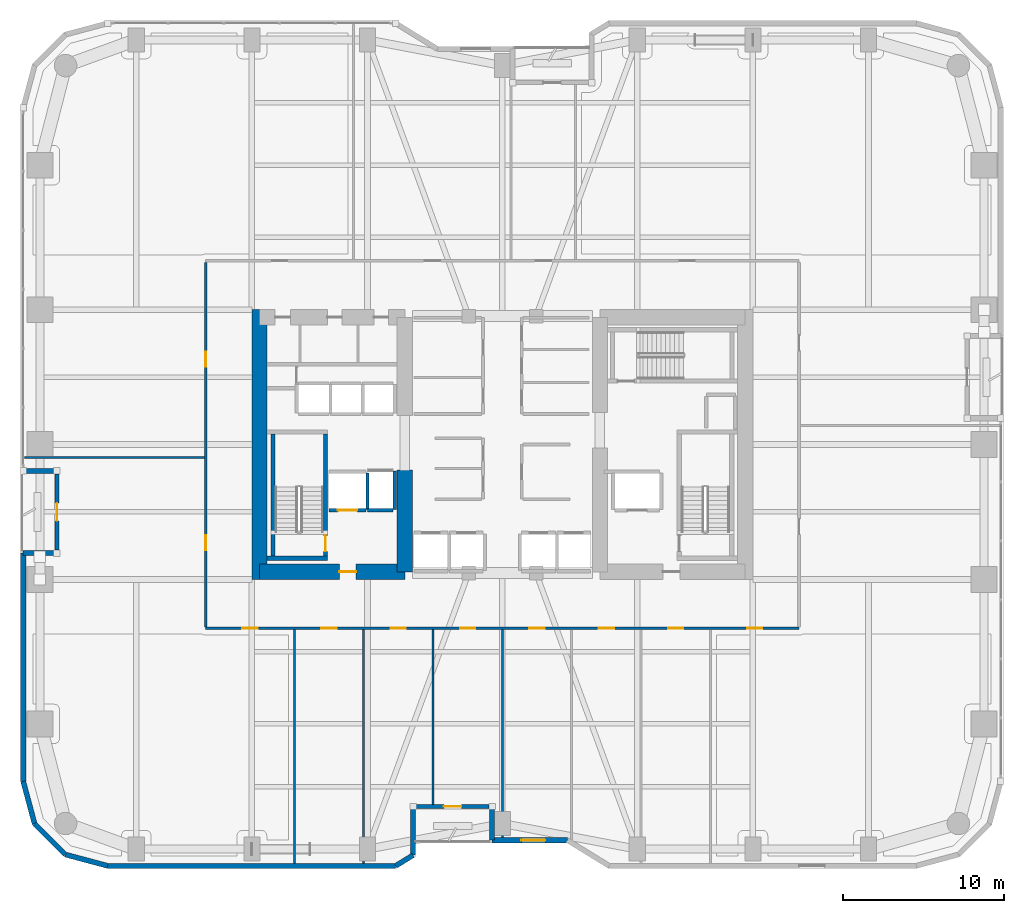
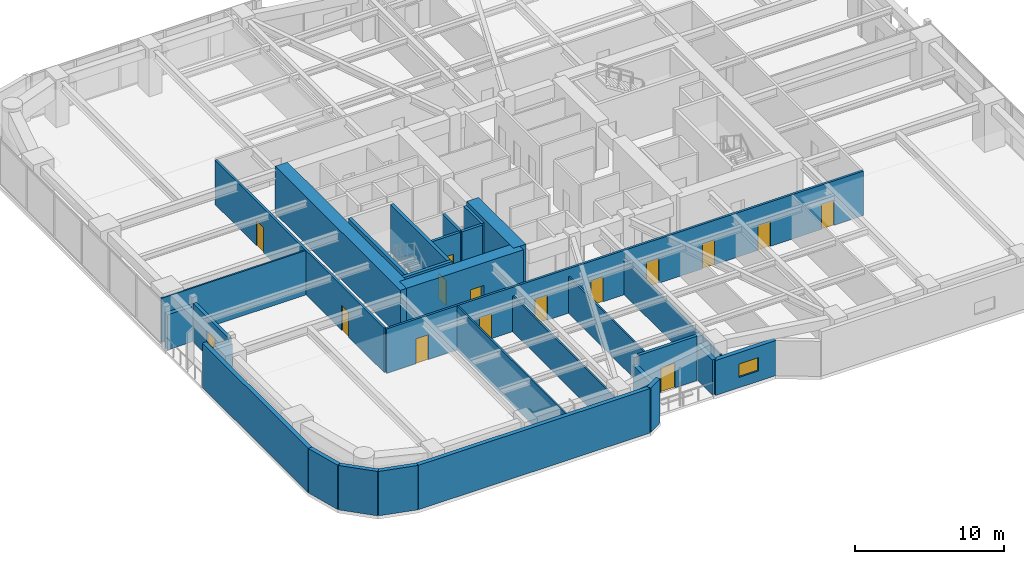
# One storey, part 22 of 28: 30 walls, 15 doors, 1 window, 16 openings.
"""IFC4 building model written with IfcOpenShell, lengths in metres."""

from ifc_helpers import new_model, si_unit, direction, frame, frame_2d, origin, place, context, subcontext, project, spatial, rectangle, extrude, material, layer, layer_set, type_object, element, fill, save


model = new_model("IFC4")

# Units and contexts
model_context = context("Model", 3, precision=1e-05, world=origin(), true_north=direction((0.0, 1.0)))
body_context = subcontext(model_context, "Body", "Model", "MODEL_VIEW")
ifc_project = project(units=[si_unit("LENGTHUNIT", "METRE"), si_unit("AREAUNIT", "SQUARE_METRE"), si_unit("VOLUMEUNIT", "CUBIC_METRE"), si_unit("PLANEANGLEUNIT", "RADIAN"), si_unit("MASSUNIT", "GRAM", prefix="KILO")], contexts=[model_context])

# Site, building, storey
site_placement = place(None, origin())
site = spatial("IfcSite", under=ifc_project, at=site_placement, CompositionType="ELEMENT")
building_placement = place(site_placement, origin())
building = spatial("IfcBuilding", under=site, at=building_placement, Name="Kiyonajd Concourse Tower", CompositionType="ELEMENT")
storey_placement = place(building_placement, frame((0.0, 0.0, 56.699951171875)))
storey = spatial("IfcBuildingStorey", under=building, at=storey_placement, Name="L15", CompositionType="ELEMENT", Elevation=56.699951171875)

# Walls
ifc_material_1 = material(Name="Concrete C80/95", Category="concrete")
ifc_layer_1 = layer(ifc_material_1, 0.949951171875)
ifc_layer_set_1 = layer_set([ifc_layer_1], Name="Concrete C80/95")
wall_type_1 = type_object("IfcWallType", Name="WL-CORE-950", PredefinedType="SHEAR", material=ifc_layer_set_1)
wall_1_placement = place(storey_placement, frame((32.875, 27.60009765625, 0.0), z_axis=(0.0, 0.0, 1.0), x_axis=(0.0, 1.0, 0.0)))
element("IfcWall", 1, at=wall_1_placement, inside=storey, type_object=wall_type_1, Name="L15 West Core Outer Shear Wall", PredefinedType="SHEAR", context=body_context, shape_type="SweptSolid", body=[
    extrude(rectangle(XDim=16.7998046875, YDim=0.949951171875, at=frame_2d((8.39990234375, 0.0))), origin(), (0.0, 0.0, 1.0), 3.900146484375),
])
wall_2_placement = place(storey_placement, frame((41.925048828125, 28.074951171875, 0.0), z_axis=(0.0, 0.0, 1.0), x_axis=(0.0, 1.0, 0.0)))
element("IfcWall", 2, at=wall_2_placement, inside=storey, type_object=wall_type_1, Name="L15 West Core Inner South Shear Wall", PredefinedType="SHEAR", context=body_context, shape_type="SweptSolid", body=[
    extrude(rectangle(XDim=6.324951171875, YDim=0.949951171875, at=frame_2d((3.16259765625, 0.0))), origin(), (0.0, 0.0, 1.0), 3.900146484375),
])

# Wall, opening, door
wall_3_placement = place(storey_placement, frame((32.875, 28.074951171875, 0.0), z_axis=(0.0, 0.0, 1.0), x_axis=(1.0, 0.0, 0.0)))
wall_3 = element("IfcWall", 3, at=wall_3_placement, inside=storey, type_object=wall_type_1, Name="L15 West Core South Shear Wall", PredefinedType="SHEAR", context=body_context, shape_type="SweptSolid", body=[
    extrude(rectangle(XDim=9.050048828125, YDim=0.949951171875, at=frame_2d((4.52490234375, 0.0))), origin(), (0.0, 0.0, 1.0), 3.900146484375),
])
opening_1_placement = place(wall_3_placement, frame((4.97509765625, 0.0, 0.0)))
opening_1 = element("IfcOpeningElement", 4, at=opening_1_placement, cuts=wall_3, Name="Opening DF5", PredefinedType="OPENING", context=body_context, shape_type="SweptSolid", body=[
    extrude(rectangle(XDim=1.050048828125, YDim=2.0400390625, at=frame_2d((0.52490234375, 1.02001953125))), frame((0.0, 0.48486328125, 0.0), z_axis=(0.0, -1.0, 0.0), x_axis=(1.0, 0.0, 0.0)), (0.0, 0.0, 1.0), 0.969970703125),
])
ifc_material_2 = material(Name="Brushed Stainless Steel Cab Assembly", Category="steel")
door_type_1 = type_object("IfcDoorType", Name="DR-FD45-1050", OperationType="NOTDEFINED", PredefinedType="DOOR", material=ifc_material_2)
door_1_placement = place(opening_1_placement, origin())
door_1 = element("IfcDoor", 5, at=door_1_placement, inside=storey, type_object=door_type_1, Name="L15 Firefighting Lift Lobby W Smoke Door", OperationType="SINGLE_SWING_LEFT", OverallHeight=2.0400390625, OverallWidth=1.050048828125, PredefinedType="DOOR", context=body_context, shape_type="SweptSolid", body=[
    extrude(rectangle(XDim=1.050048828125, YDim=2.0400390625, at=frame_2d((0.52490234375, 1.02001953125))), frame((0.0, 0.02490234375, 0.0), z_axis=(0.0, -1.0, 0.0), x_axis=(1.0, 0.0, 0.0)), (0.0, 0.0, 1.0), 0.050048828125),
])
fill(opening_1, door_1)

# Walls
ifc_material_3 = material(Name="Precast concrete C50/60", Category="concrete")
ifc_layer_2 = layer(ifc_material_3, 0.320068359375)
ifc_layer_set_2 = layer_set([ifc_layer_2], Name="Precast concrete C50/60")
wall_type_2 = type_object("IfcWallType", Name="WL-EXT-320", PredefinedType="SOLIDWALL", material=ifc_layer_set_2)
wall_4_placement = place(storey_placement, frame((18.866455078125, 12.3828125, 0.0), z_axis=(0.0, 0.0, 1.0), x_axis=(-0.25869736047, 0.965958423373, 0.0)))
element("IfcWall", 6, at=wall_4_placement, inside=storey, type_object=wall_type_2, Name="L15 Exterior Concrete Frame Wall 00", PredefinedType="SOLIDWALL", context=body_context, shape_type="SweptSolid", body=[
    extrude(rectangle(XDim=2.731201171875, YDim=0.320068359375, at=frame_2d((1.36572265625, 0.0))), origin(), (0.0, 0.0, 1.0), 3.64013671875),
])
wall_5_placement = place(storey_placement, frame((18.159912109375, 15.02099609375, 0.0), z_axis=(0.0, 0.0, 1.0), x_axis=(0.0, 1.0, 0.0)))
element("IfcWall", 7, at=wall_5_placement, inside=storey, type_object=wall_type_2, Name="L15 Exterior Concrete Frame Wall 01", PredefinedType="SOLIDWALL", context=body_context, shape_type="SweptSolid", body=[
    extrude(rectangle(XDim=14.218994140625, YDim=0.320068359375, at=frame_2d((7.109375, 0.0))), origin(), (0.0, 0.0, 1.0), 3.64013671875),
])
for number, where, z_axis, x_axis, name in (
    (8, (18.159912109375, 29.239990234375, 0.0), (0.0, 0.0, 1.0), (1.0, 0.0, 0.0), "L15 Exterior Concrete Frame Wall 02"),
    (9, (20.260009765625, 34.360107421875, 0.0), (0.0, 0.0, 1.0), (-1.0, 0.0, 0.0), "L15 Exterior Concrete Frame Wall 04"),
):
    element("IfcWall", number, at=place(storey_placement, frame(where, z_axis=z_axis, x_axis=x_axis)), inside=storey, type_object=wall_type_2, Name=name, PredefinedType="SOLIDWALL", context=body_context, shape_type="SweptSolid", body=[
        extrude(rectangle(XDim=2.10009765625, YDim=0.320068359375, at=frame_2d((1.050048828125, 0.0))), origin(), (0.0, 0.0, 1.0), 2.875),
    ])

# Wall, opening, window
wall_6_placement = place(storey_placement, frame((52.04541015625, 11.360107421875, 0.0), z_axis=(0.0, 0.0, 1.0), x_axis=(-1.0, 0.0, 0.0)))
wall_6 = element("IfcWall", 10, at=wall_6_placement, inside=storey, type_object=wall_type_2, Name="L15 Exterior Concrete Frame Wall 30", PredefinedType="SOLIDWALL", context=body_context, shape_type="SweptSolid", body=[
    extrude(rectangle(XDim=4.685302734375, YDim=0.320068359375, at=frame_2d((2.3427734375, 0.0))), origin(), (0.0, 0.0, 1.0), 2.875),
])
opening_2_placement = place(wall_6_placement, frame((1.367919921875, 0.0, 0.85009765625)))
opening_2 = element("IfcOpeningElement", 11, at=opening_2_placement, cuts=wall_6, Name="Opening WN2", PredefinedType="OPENING", context=body_context, shape_type="SweptSolid", body=[
    extrude(rectangle(XDim=1.5, YDim=1.10009765625, at=frame_2d((0.75, 0.550048828125))), frame((0.0, 0.169921875, 0.0), z_axis=(0.0, -1.0, 0.0), x_axis=(1.0, 0.0, 0.0)), (0.0, 0.0, 1.0), 0.340087890625),
])
ifc_material_4 = material(Name="Double Low-E Insulated Glass", Category="glass")
window_type = type_object("IfcWindowType", Name="WN-VIS-1500x1100", PartitioningType="SINGLE_PANEL", PredefinedType="WINDOW", material=ifc_material_4)
window_placement = place(opening_2_placement, origin())
window = element("IfcWindow", 12, at=window_placement, inside=storey, type_object=window_type, Name="L15 Modular Facade Vision Window 30", OverallHeight=1.10009765625, OverallWidth=1.5, PartitioningType="SINGLE_PANEL", PredefinedType="WINDOW", context=body_context, shape_type="SweptSolid", body=[
    extrude(rectangle(XDim=1.5, YDim=1.10009765625, at=frame_2d((0.75, 0.550048828125))), frame((0.0, 0.030029296875, 0.0), z_axis=(0.0, -1.0, 0.0), x_axis=(1.0, 0.0, 0.0)), (0.0, 0.0, 1.0), 0.06005859375),
])
fill(opening_2, window)

# Walls
wall_7_placement = place(storey_placement, frame((47.360107421875, 11.360107421875, 0.0), z_axis=(0.0, 0.0, 1.0), x_axis=(0.0, 1.0, 0.0)))
element("IfcWall", 13, at=wall_7_placement, inside=storey, type_object=wall_type_2, Name="L15 Exterior Concrete Frame Wall 31", PredefinedType="SOLIDWALL", context=body_context, shape_type="SweptSolid", body=[
    extrude(rectangle(XDim=2.099853515625, YDim=0.320068359375, at=frame_2d((1.0498046875, 0.0))), origin(), (0.0, 0.0, 1.0), 2.875),
])
wall_8_placement = place(storey_placement, frame((42.43994140625, 13.4599609375, 0.0), z_axis=(0.0, 0.0, 1.0), x_axis=(0.0, -1.0, 0.0)))
element("IfcWall", 14, at=wall_8_placement, inside=storey, type_object=wall_type_2, Name="L15 Exterior Concrete Frame Wall 33", PredefinedType="SOLIDWALL", context=body_context, shape_type="SweptSolid", body=[
    extrude(rectangle(XDim=3.032470703125, YDim=0.320068359375, at=frame_2d((1.51611328125, 0.0))), origin(), (0.0, 0.0, 1.0), 2.875),
])
wall_9_placement = place(storey_placement, frame((42.43994140625, 10.427490234375, 0.0), z_axis=(0.0, 0.0, 1.0), x_axis=(-0.851776724646, -0.523904964045, 0.0)))
element("IfcWall", 15, at=wall_9_placement, inside=storey, type_object=wall_type_2, Name="L15 Exterior Concrete Frame Wall 34", PredefinedType="SOLIDWALL", context=body_context, shape_type="SweptSolid", body=[
    extrude(rectangle(XDim=1.274169921875, YDim=0.320068359375, at=frame_2d((0.63720703125, 0.0))), origin(), (0.0, 0.0, 1.0), 3.64013671875),
])
wall_10_placement = place(storey_placement, frame((41.354736328125, 9.760009765625, 0.0), z_axis=(0.0, 0.0, 1.0), x_axis=(-1.0, 0.0, 0.0)))
element("IfcWall", 16, at=wall_10_placement, inside=storey, type_object=wall_type_2, Name="L15 Exterior Concrete Frame Wall 35", PredefinedType="SOLIDWALL", context=body_context, shape_type="SweptSolid", body=[
    extrude(rectangle(XDim=17.93359375, YDim=0.320068359375, at=frame_2d((8.966796875, 0.0))), origin(), (0.0, 0.0, 1.0), 3.64013671875),
])
wall_11_placement = place(storey_placement, frame((23.421142578125, 9.760009765625, 0.0), z_axis=(0.0, 0.0, 1.0), x_axis=(-0.965964405026, 0.25867502435, 0.0)))
element("IfcWall", 17, at=wall_11_placement, inside=storey, type_object=wall_type_2, Name="L15 Exterior Concrete Frame Wall 36", PredefinedType="SOLIDWALL", context=body_context, shape_type="SweptSolid", body=[
    extrude(rectangle(XDim=2.7314453125, YDim=0.320068359375, at=frame_2d((1.36572265625, 0.0))), origin(), (0.0, 0.0, 1.0), 3.64013671875),
])
wall_12_placement = place(storey_placement, frame((20.78271484375, 10.466552734375, 0.0), z_axis=(0.0, 0.0, 1.0), x_axis=(-0.707106781187, 0.707106781187, 0.0)))
element("IfcWall", 18, at=wall_12_placement, inside=storey, type_object=wall_type_2, Name="L15 Exterior Concrete Frame Wall 37", PredefinedType="SOLIDWALL", context=body_context, shape_type="SweptSolid", body=[
    extrude(rectangle(XDim=2.7099609375, YDim=0.320068359375, at=frame_2d((1.35498046875, 0.0))), origin(), (0.0, 0.0, 1.0), 3.64013671875),
])

# Wall, opening, door
ifc_layer_3 = layer(ifc_material_3, 0.239990234375)
ifc_layer_set_3 = layer_set([ifc_layer_3], Name="Precast concrete C50/60")
wall_type_3 = type_object("IfcWallType", Name="WL-LOG-240", PredefinedType="SOLIDWALL", material=ifc_layer_set_3)
wall_13_placement = place(storey_placement, frame((20.260009765625, 29.43505859375, 0.0), z_axis=(0.0, 0.0, 1.0), x_axis=(0.0, 1.0, 0.0)))
wall_13 = element("IfcWall", 19, at=wall_13_placement, inside=storey, type_object=wall_type_3, Name="L15 Recessed Loggia Thermal Wall LOG-W", PredefinedType="SOLIDWALL", context=body_context, shape_type="SweptSolid", body=[
    extrude(rectangle(XDim=4.72998046875, YDim=0.239990234375, at=frame_2d((2.364990234375, 0.0))), origin(), (0.0, 0.0, 1.0), 3.162109375),
])
opening_3_placement = place(wall_13_placement, frame((1.81494140625, 0.0, 0.0)))
opening_3 = element("IfcOpeningElement", 20, at=opening_3_placement, cuts=wall_13, Name="Opening DL2", PredefinedType="OPENING", context=body_context, shape_type="SweptSolid", body=[
    extrude(rectangle(XDim=1.10009765625, YDim=2.0400390625, at=frame_2d((0.550048828125, 1.02001953125))), frame((0.0, 0.1298828125, 0.0), z_axis=(0.0, -1.0, 0.0), x_axis=(1.0, 0.0, 0.0)), (0.0, 0.0, 1.0), 0.260009765625),
])
ifc_material_5 = material(Name="Thermally Broken Anodised Aluminium", Category="aluminium")
door_type_2 = type_object("IfcDoorType", Name="DR-LOG-1100", OperationType="NOTDEFINED", PredefinedType="DOOR", material=ifc_material_5)
door_2_placement = place(opening_3_placement, origin())
door_2 = element("IfcDoor", 21, at=door_2_placement, inside=storey, type_object=door_type_2, Name="L15 Engawa Loggia Access Door LOG-W", OperationType="SINGLE_SWING_LEFT", OverallHeight=2.0400390625, OverallWidth=1.10009765625, PredefinedType="DOOR", context=body_context, shape_type="SweptSolid", body=[
    extrude(rectangle(XDim=1.10009765625, YDim=2.0400390625, at=frame_2d((0.550048828125, 1.02001953125))), frame((0.0, 0.02490234375, 0.0), z_axis=(0.0, -1.0, 0.0), x_axis=(1.0, 0.0, 0.0)), (0.0, 0.0, 1.0), 0.050048828125),
])
fill(opening_3, door_2)

wall_14_placement = place(storey_placement, frame((47.1650390625, 13.4599609375, 0.0), z_axis=(0.0, 0.0, 1.0), x_axis=(-1.0, 0.0, 0.0)))
wall_14 = element("IfcWall", 22, at=wall_14_placement, inside=storey, type_object=wall_type_3, Name="L15 Recessed Loggia Thermal Wall LOG-S", PredefinedType="SOLIDWALL", context=body_context, shape_type="SweptSolid", body=[
    extrude(rectangle(XDim=4.530029296875, YDim=0.239990234375, at=frame_2d((2.26513671875, 0.0))), origin(), (0.0, 0.0, 1.0), 3.64013671875),
])
opening_4_placement = place(wall_14_placement, frame((1.715087890625, 0.0, 0.0)))
opening_4 = element("IfcOpeningElement", 23, at=opening_4_placement, cuts=wall_14, Name="Opening DL2", PredefinedType="OPENING", context=body_context, shape_type="SweptSolid", body=[
    extrude(rectangle(XDim=1.10009765625, YDim=2.0400390625, at=frame_2d((0.550048828125, 1.02001953125))), frame((0.0, 0.1298828125, 0.0), z_axis=(0.0, -1.0, 0.0), x_axis=(1.0, 0.0, 0.0)), (0.0, 0.0, 1.0), 0.260009765625),
])
door_3_placement = place(opening_4_placement, origin())
door_3 = element("IfcDoor", 24, at=door_3_placement, inside=storey, type_object=door_type_2, Name="L15 Engawa Loggia Access Door LOG-S", OperationType="SINGLE_SWING_RIGHT", OverallHeight=2.0400390625, OverallWidth=1.10009765625, PredefinedType="DOOR", context=body_context, shape_type="SweptSolid", body=[
    extrude(rectangle(XDim=1.10009765625, YDim=2.0400390625, at=frame_2d((0.550048828125, 1.02001953125))), frame((0.0, 0.02490234375, 0.0), z_axis=(0.0, -1.0, 0.0), x_axis=(1.0, 0.0, 0.0)), (0.0, 0.0, 1.0), 0.050048828125),
])
fill(opening_4, door_3)

# Walls
ifc_material_6 = material(Name="Gypsum Board on Cold-Formed Steel Stud", Category="steel")
ifc_layer_4 = layer(ifc_material_6, 0.125)
ifc_layer_set_4 = layer_set([ifc_layer_4], Name="Gypsum Board on Cold-Formed Steel Stud")
wall_type_4 = type_object("IfcWallType", Name="WL-PART-125", PredefinedType="PARTITIONING", material=ifc_layer_set_4)
wall_15_placement = place(storey_placement, frame((35.0400390625, 9.9150390625, 0.0), z_axis=(0.0, 0.0, 1.0), x_axis=(0.0, 1.0, 0.0)))
element("IfcWall", 25, at=wall_15_placement, inside=storey, type_object=wall_type_4, Name="L15 Interior Partition Wall", PredefinedType="PARTITIONING", context=body_context, shape_type="SweptSolid", body=[
    extrude(rectangle(XDim=14.557861328125, YDim=0.125, at=frame_2d((7.27880859375, 0.0))), origin(), (0.0, 0.0, 1.0), 3.64013671875),
])
wall_16_placement = place(storey_placement, frame((39.360107421875, 9.9150390625, 0.0), z_axis=(0.0, 0.0, 1.0), x_axis=(0.0, 1.0, 0.0)))
element("IfcWall", 26, at=wall_16_placement, inside=storey, type_object=wall_type_4, Name="L15 Interior Partition Wall", PredefinedType="PARTITIONING", context=body_context, shape_type="SweptSolid", body=[
    extrude(rectangle(XDim=14.557861328125, YDim=0.125, at=frame_2d((7.27880859375, 0.0))), origin(), (0.0, 0.0, 1.0), 2.929931640625),
])
wall_17_placement = place(storey_placement, frame((43.679931640625, 13.574951171875, 0.0), z_axis=(0.0, 0.0, 1.0), x_axis=(0.0, 1.0, 0.0)))
element("IfcWall", 27, at=wall_17_placement, inside=storey, type_object=wall_type_4, Name="L15 Interior Partition Wall", PredefinedType="PARTITIONING", context=body_context, shape_type="SweptSolid", body=[
    extrude(rectangle(XDim=10.89794921875, YDim=0.125, at=frame_2d((5.448974609375, 0.0))), origin(), (0.0, 0.0, 1.0), 3.0029296875),
])
wall_18_placement = place(storey_placement, frame((48.0, 11.514892578125, 0.0), z_axis=(0.0, 0.0, 1.0), x_axis=(0.0, 1.0, 0.0)))
element("IfcWall", 28, at=wall_18_placement, inside=storey, type_object=wall_type_4, Name="L15 Interior Partition Wall", PredefinedType="PARTITIONING", context=body_context, shape_type="SweptSolid", body=[
    extrude(rectangle(XDim=12.9580078125, YDim=0.125, at=frame_2d((6.47900390625, 0.0))), origin(), (0.0, 0.0, 1.0), 2.929931640625),
])
wall_19_placement = place(storey_placement, frame((18.2451171875, 35.199951171875, 0.0), z_axis=(0.0, 0.0, 1.0), x_axis=(1.0, 0.0, 0.0)))
element("IfcWall", 29, at=wall_19_placement, inside=storey, type_object=wall_type_4, Name="L15 Interior Partition Wall", PredefinedType="PARTITIONING", context=body_context, shape_type="SweptSolid", body=[
    extrude(rectangle(XDim=11.19287109375, YDim=0.125, at=frame_2d((5.596435546875, 0.0))), origin(), (0.0, 0.0, 1.0), 3.64013671875),
])

# Wall, opening, door
ifc_layer_5 = layer(ifc_material_6, 0.2099609375)
ifc_layer_set_5 = layer_set([ifc_layer_5], Name="Gypsum Board on Cold-Formed Steel Stud")
wall_type_5 = type_object("IfcWallType", Name="WL-SHAFT-210", PredefinedType="PARTITIONING", material=ifc_layer_set_5)
wall_20_placement = place(storey_placement, frame((37.199951171875, 31.89990234375, 0.0), z_axis=(0.0, 0.0, 1.0), x_axis=(1.0, 0.0, 0.0)))
wall_20 = element("IfcWall", 30, at=wall_20_placement, inside=storey, type_object=wall_type_5, Name="L15 Shaft Enclosure Wall", PredefinedType="PARTITIONING", context=body_context, shape_type="SweptSolid", body=[
    extrude(rectangle(XDim=2.300048828125, YDim=0.2099609375, at=frame_2d((1.14990234375, 0.0))), origin(), (0.0, 0.0, 1.0), 3.64013671875),
])
opening_5_placement = place(wall_20_placement, frame((0.550048828125, 0.0, 0.0)))
opening_5 = element("IfcOpeningElement", 31, at=opening_5_placement, cuts=wall_20, Name="Opening LD2", PredefinedType="OPENING", context=body_context, shape_type="SweptSolid", body=[
    extrude(rectangle(XDim=1.199951171875, YDim=2.0400390625, at=frame_2d((0.60009765625, 1.02001953125))), frame((0.0, 0.114990234375, 0.0), z_axis=(0.0, -1.0, 0.0), x_axis=(1.0, 0.0, 0.0)), (0.0, 0.0, 1.0), 0.22998046875),
])
door_type_3 = type_object("IfcDoorType", Name="DR-LD-1200", OperationType="DOUBLE_DOOR_SLIDING", PredefinedType="DOOR", material=ifc_material_2)
door_4_placement = place(opening_5_placement, origin())
door_4 = element("IfcDoor", 32, at=door_4_placement, inside=storey, type_object=door_type_3, Name="L15 Lift FFL1 Sliding Landing Door", OperationType="DOUBLE_DOOR_SLIDING", OverallHeight=2.0400390625, OverallWidth=1.199951171875, PredefinedType="DOOR", context=body_context, shape_type="SweptSolid", body=[
    extrude(rectangle(XDim=1.199951171875, YDim=2.0400390625, at=frame_2d((0.60009765625, 1.02001953125))), frame((0.0, 0.02490234375, 0.0), z_axis=(0.0, -1.0, 0.0), x_axis=(1.0, 0.0, 0.0)), (0.0, 0.0, 1.0), 0.050048828125),
])
fill(opening_5, door_4)

# Walls
wall_21_placement = place(storey_placement, frame((39.60009765625, 31.9599609375, 0.0), z_axis=(0.0, 0.0, 1.0), x_axis=(0.0, 1.0, 0.0)))
element("IfcWall", 33, at=wall_21_placement, inside=storey, type_object=wall_type_5, Name="L15 Shaft Enclosure Wall", PredefinedType="PARTITIONING", context=body_context, shape_type="SweptSolid", body=[
    extrude(rectangle(XDim=2.280029296875, YDim=0.2099609375, at=frame_2d((1.14013671875, 0.0))), origin(), (0.0, 0.0, 1.0), 3.64013671875),
])
wall_22_placement = place(storey_placement, frame((39.60009765625, 31.89990234375, 0.0), z_axis=(0.0, 0.0, 1.0), x_axis=(1.0, 0.0, 0.0)))
element("IfcWall", 34, at=wall_22_placement, inside=storey, type_object=wall_type_5, Name="L15 Shaft Enclosure Wall", PredefinedType="PARTITIONING", context=body_context, shape_type="SweptSolid", body=[
    extrude(rectangle(XDim=1.599853515625, YDim=0.2099609375, at=frame_2d((0.7998046875, 0.0))), origin(), (0.0, 0.0, 1.0), 3.64013671875),
])
wall_23_placement = place(storey_placement, frame((41.300048828125, 31.9599609375, 0.0), z_axis=(0.0, 0.0, 1.0), x_axis=(0.0, 1.0, 0.0)))
element("IfcWall", 35, at=wall_23_placement, inside=storey, type_object=wall_type_5, Name="L15 Shaft Enclosure Wall", PredefinedType="PARTITIONING", context=body_context, shape_type="SweptSolid", body=[
    extrude(rectangle(XDim=2.380126953125, YDim=0.2099609375, at=frame_2d((1.18994140625, 0.0))), origin(), (0.0, 0.0, 1.0), 3.64013671875),
])

# Wall, openings, doors
ifc_layer_6 = layer(ifc_material_6, 0.169921875)
ifc_layer_set_6 = layer_set([ifc_layer_6], Name="Gypsum Board on Cold-Formed Steel Stud")
wall_type_6 = type_object("IfcWallType", Name="WL-SMK-170", PredefinedType="PARTITIONING", material=ifc_layer_set_6)
wall_24_placement = place(storey_placement, frame((29.52490234375, 24.56005859375, 0.0), z_axis=(0.0, 0.0, 1.0), x_axis=(1.0, 0.0, 0.0)))
wall_24 = element("IfcWall", 36, at=wall_24_placement, inside=storey, type_object=wall_type_6, Name="L15 Interior Partition Wall", PredefinedType="PARTITIONING", context=body_context, shape_type="SweptSolid", body=[
    extrude(rectangle(XDim=36.9501953125, YDim=0.169921875, at=frame_2d((18.47509765625, 0.0))), origin(), (0.0, 0.0, 1.0), 3.64013671875),
])
opening_6_placement = place(wall_24_placement, frame((2.282958984375, 0.0, 0.0)))
opening_6 = element("IfcOpeningElement", 37, at=opening_6_placement, cuts=wall_24, Name="Opening DI1", PredefinedType="OPENING", context=body_context, shape_type="SweptSolid", body=[
    extrude(rectangle(XDim=0.949951171875, YDim=2.0400390625, at=frame_2d((0.47509765625, 1.02001953125))), frame((0.0, 0.094970703125, 0.0), z_axis=(0.0, -1.0, 0.0), x_axis=(1.0, 0.0, 0.0)), (0.0, 0.0, 1.0), 0.18994140625),
])
opening_7_placement = place(wall_24_placement, frame((7.199951171875, 0.0, 0.0)))
opening_7 = element("IfcOpeningElement", 38, at=opening_7_placement, cuts=wall_24, Name="Opening DI1", PredefinedType="OPENING", context=body_context, shape_type="SweptSolid", body=[
    extrude(rectangle(XDim=0.949951171875, YDim=2.0400390625, at=frame_2d((0.47509765625, 1.02001953125))), frame((0.0, 0.094970703125, 0.0), z_axis=(0.0, -1.0, 0.0), x_axis=(1.0, 0.0, 0.0)), (0.0, 0.0, 1.0), 0.18994140625),
])
opening_8_placement = place(wall_24_placement, frame((11.52001953125, 0.0, 0.0)))
opening_8 = element("IfcOpeningElement", 39, at=opening_8_placement, cuts=wall_24, Name="Opening DI1", PredefinedType="OPENING", context=body_context, shape_type="SweptSolid", body=[
    extrude(rectangle(XDim=0.949951171875, YDim=2.0400390625, at=frame_2d((0.47509765625, 1.02001953125))), frame((0.0, 0.094970703125, 0.0), z_axis=(0.0, -1.0, 0.0), x_axis=(1.0, 0.0, 0.0)), (0.0, 0.0, 1.0), 0.18994140625),
])
opening_9_placement = place(wall_24_placement, frame((15.840087890625, 0.0, 0.0)))
opening_9 = element("IfcOpeningElement", 40, at=opening_9_placement, cuts=wall_24, Name="Opening DI1", PredefinedType="OPENING", context=body_context, shape_type="SweptSolid", body=[
    extrude(rectangle(XDim=0.949951171875, YDim=2.0400390625, at=frame_2d((0.47509765625, 1.02001953125))), frame((0.0, 0.094970703125, 0.0), z_axis=(0.0, -1.0, 0.0), x_axis=(1.0, 0.0, 0.0)), (0.0, 0.0, 1.0), 0.18994140625),
])
opening_10_placement = place(wall_24_placement, frame((20.159912109375, 0.0, 0.0)))
opening_10 = element("IfcOpeningElement", 41, at=opening_10_placement, cuts=wall_24, Name="Opening DI1", PredefinedType="OPENING", context=body_context, shape_type="SweptSolid", body=[
    extrude(rectangle(XDim=0.949951171875, YDim=2.0400390625, at=frame_2d((0.47509765625, 1.02001953125))), frame((0.0, 0.094970703125, 0.0), z_axis=(0.0, -1.0, 0.0), x_axis=(1.0, 0.0, 0.0)), (0.0, 0.0, 1.0), 0.18994140625),
])
opening_11_placement = place(wall_24_placement, frame((24.47998046875, 0.0, 0.0)))
opening_11 = element("IfcOpeningElement", 42, at=opening_11_placement, cuts=wall_24, Name="Opening DI1", PredefinedType="OPENING", context=body_context, shape_type="SweptSolid", body=[
    extrude(rectangle(XDim=0.949951171875, YDim=2.0400390625, at=frame_2d((0.47509765625, 1.02001953125))), frame((0.0, 0.094970703125, 0.0), z_axis=(0.0, -1.0, 0.0), x_axis=(1.0, 0.0, 0.0)), (0.0, 0.0, 1.0), 0.18994140625),
])
opening_12_placement = place(wall_24_placement, frame((28.800048828125, 0.0, 0.0)))
opening_12 = element("IfcOpeningElement", 43, at=opening_12_placement, cuts=wall_24, Name="Opening DI1", PredefinedType="OPENING", context=body_context, shape_type="SweptSolid", body=[
    extrude(rectangle(XDim=0.949951171875, YDim=2.0400390625, at=frame_2d((0.47509765625, 1.02001953125))), frame((0.0, 0.094970703125, 0.0), z_axis=(0.0, -1.0, 0.0), x_axis=(1.0, 0.0, 0.0)), (0.0, 0.0, 1.0), 0.18994140625),
])
opening_13_placement = place(wall_24_placement, frame((33.718017578125, 0.0, 0.0)))
opening_13 = element("IfcOpeningElement", 44, at=opening_13_placement, cuts=wall_24, Name="Opening DI1", PredefinedType="OPENING", context=body_context, shape_type="SweptSolid", body=[
    extrude(rectangle(XDim=0.949951171875, YDim=2.0400390625, at=frame_2d((0.47509765625, 1.02001953125))), frame((0.0, 0.094970703125, 0.0), z_axis=(0.0, -1.0, 0.0), x_axis=(1.0, 0.0, 0.0)), (0.0, 0.0, 1.0), 0.18994140625),
])
ifc_material_7 = material(Name="Natural Oak Acoustic Timber Veneer", Category="wood")
door_type_4 = type_object("IfcDoorType", Name="DR-INT-950", OperationType="NOTDEFINED", PredefinedType="DOOR", material=ifc_material_7)
door_5_placement = place(opening_6_placement, origin())
door_5 = element("IfcDoor", 45, at=door_5_placement, inside=storey, type_object=door_type_4, Name="L15 Interior Door", OperationType="SINGLE_SWING_LEFT", OverallHeight=2.0400390625, OverallWidth=0.949951171875, PredefinedType="DOOR", context=body_context, shape_type="SweptSolid", body=[
    extrude(rectangle(XDim=0.949951171875, YDim=2.0400390625, at=frame_2d((0.47509765625, 1.02001953125))), frame((0.0, 0.02490234375, 0.0), z_axis=(0.0, -1.0, 0.0), x_axis=(1.0, 0.0, 0.0)), (0.0, 0.0, 1.0), 0.050048828125),
])
fill(opening_6, door_5)
door_6_placement = place(opening_7_placement, origin())
door_6 = element("IfcDoor", 46, at=door_6_placement, inside=storey, type_object=door_type_4, Name="L15 Interior Door", OperationType="SINGLE_SWING_RIGHT", OverallHeight=2.0400390625, OverallWidth=0.949951171875, PredefinedType="DOOR", context=body_context, shape_type="SweptSolid", body=[
    extrude(rectangle(XDim=0.949951171875, YDim=2.0400390625, at=frame_2d((0.47509765625, 1.02001953125))), frame((0.0, 0.02490234375, 0.0), z_axis=(0.0, -1.0, 0.0), x_axis=(1.0, 0.0, 0.0)), (0.0, 0.0, 1.0), 0.050048828125),
])
fill(opening_7, door_6)
door_7_placement = place(opening_8_placement, origin())
door_7 = element("IfcDoor", 47, at=door_7_placement, inside=storey, type_object=door_type_4, Name="L15 Interior Door", OperationType="SINGLE_SWING_LEFT", OverallHeight=2.0400390625, OverallWidth=0.949951171875, PredefinedType="DOOR", context=body_context, shape_type="SweptSolid", body=[
    extrude(rectangle(XDim=0.949951171875, YDim=2.0400390625, at=frame_2d((0.47509765625, 1.02001953125))), frame((0.0, 0.02490234375, 0.0), z_axis=(0.0, -1.0, 0.0), x_axis=(1.0, 0.0, 0.0)), (0.0, 0.0, 1.0), 0.050048828125),
])
fill(opening_8, door_7)
door_8_placement = place(opening_9_placement, origin())
door_8 = element("IfcDoor", 48, at=door_8_placement, inside=storey, type_object=door_type_4, Name="L15 Interior Door", OperationType="SINGLE_SWING_RIGHT", OverallHeight=2.0400390625, OverallWidth=0.949951171875, PredefinedType="DOOR", context=body_context, shape_type="SweptSolid", body=[
    extrude(rectangle(XDim=0.949951171875, YDim=2.0400390625, at=frame_2d((0.47509765625, 1.02001953125))), frame((0.0, 0.02490234375, 0.0), z_axis=(0.0, -1.0, 0.0), x_axis=(1.0, 0.0, 0.0)), (0.0, 0.0, 1.0), 0.050048828125),
])
fill(opening_9, door_8)
door_9_placement = place(opening_10_placement, origin())
door_9 = element("IfcDoor", 49, at=door_9_placement, inside=storey, type_object=door_type_4, Name="L15 Interior Door", OperationType="SINGLE_SWING_LEFT", OverallHeight=2.0400390625, OverallWidth=0.949951171875, PredefinedType="DOOR", context=body_context, shape_type="SweptSolid", body=[
    extrude(rectangle(XDim=0.949951171875, YDim=2.0400390625, at=frame_2d((0.47509765625, 1.02001953125))), frame((0.0, 0.02490234375, 0.0), z_axis=(0.0, -1.0, 0.0), x_axis=(1.0, 0.0, 0.0)), (0.0, 0.0, 1.0), 0.050048828125),
])
fill(opening_10, door_9)
door_10_placement = place(opening_11_placement, origin())
door_10 = element("IfcDoor", 50, at=door_10_placement, inside=storey, type_object=door_type_4, Name="L15 Interior Door", OperationType="SINGLE_SWING_RIGHT", OverallHeight=2.0400390625, OverallWidth=0.949951171875, PredefinedType="DOOR", context=body_context, shape_type="SweptSolid", body=[
    extrude(rectangle(XDim=0.949951171875, YDim=2.0400390625, at=frame_2d((0.47509765625, 1.02001953125))), frame((0.0, 0.02490234375, 0.0), z_axis=(0.0, -1.0, 0.0), x_axis=(1.0, 0.0, 0.0)), (0.0, 0.0, 1.0), 0.050048828125),
])
fill(opening_11, door_10)
door_11_placement = place(opening_12_placement, origin())
door_11 = element("IfcDoor", 51, at=door_11_placement, inside=storey, type_object=door_type_4, Name="L15 Interior Door", OperationType="SINGLE_SWING_LEFT", OverallHeight=2.0400390625, OverallWidth=0.949951171875, PredefinedType="DOOR", context=body_context, shape_type="SweptSolid", body=[
    extrude(rectangle(XDim=0.949951171875, YDim=2.0400390625, at=frame_2d((0.47509765625, 1.02001953125))), frame((0.0, 0.02490234375, 0.0), z_axis=(0.0, -1.0, 0.0), x_axis=(1.0, 0.0, 0.0)), (0.0, 0.0, 1.0), 0.050048828125),
])
fill(opening_12, door_11)
door_12_placement = place(opening_13_placement, origin())
door_12 = element("IfcDoor", 52, at=door_12_placement, inside=storey, type_object=door_type_4, Name="L15 Interior Door", OperationType="SINGLE_SWING_RIGHT", OverallHeight=2.0400390625, OverallWidth=0.949951171875, PredefinedType="DOOR", context=body_context, shape_type="SweptSolid", body=[
    extrude(rectangle(XDim=0.949951171875, YDim=2.0400390625, at=frame_2d((0.47509765625, 1.02001953125))), frame((0.0, 0.02490234375, 0.0), z_axis=(0.0, -1.0, 0.0), x_axis=(1.0, 0.0, 0.0)), (0.0, 0.0, 1.0), 0.050048828125),
])
fill(opening_13, door_12)

wall_25_placement = place(storey_placement, frame((29.52490234375, 24.64697265625, 0.0), z_axis=(0.0, 0.0, 1.0), x_axis=(0.0, 1.0, 0.0)))
wall_25 = element("IfcWall", 53, at=wall_25_placement, inside=storey, type_object=wall_type_6, Name="L15 Interior Partition Wall", PredefinedType="PARTITIONING", context=body_context, shape_type="SweptSolid", body=[
    extrude(rectangle(XDim=22.7060546875, YDim=0.169921875, at=frame_2d((11.35302734375, 0.0))), origin(), (0.0, 0.0, 1.0), 3.64013671875),
])
opening_14_placement = place(wall_25_placement, frame((4.758056640625, 0.0, 0.0)))
opening_14 = element("IfcOpeningElement", 54, at=opening_14_placement, cuts=wall_25, Name="Opening DI1", PredefinedType="OPENING", context=body_context, shape_type="SweptSolid", body=[
    extrude(rectangle(XDim=0.949951171875, YDim=2.0400390625, at=frame_2d((0.47509765625, 1.02001953125))), frame((0.0, 0.094970703125, 0.0), z_axis=(0.0, -1.0, 0.0), x_axis=(1.0, 0.0, 0.0)), (0.0, 0.0, 1.0), 0.18994140625),
])
opening_15_placement = place(wall_25_placement, frame((16.197998046875, 0.0, 0.0)))
opening_15 = element("IfcOpeningElement", 55, at=opening_15_placement, cuts=wall_25, Name="Opening DI1", PredefinedType="OPENING", context=body_context, shape_type="SweptSolid", body=[
    extrude(rectangle(XDim=0.949951171875, YDim=2.0400390625, at=frame_2d((0.47509765625, 1.02001953125))), frame((0.0, 0.094970703125, 0.0), z_axis=(0.0, -1.0, 0.0), x_axis=(1.0, 0.0, 0.0)), (0.0, 0.0, 1.0), 0.18994140625),
])
door_13_placement = place(opening_14_placement, origin())
door_13 = element("IfcDoor", 56, at=door_13_placement, inside=storey, type_object=door_type_4, Name="L15 Interior Door", OperationType="SINGLE_SWING_LEFT", OverallHeight=2.0400390625, OverallWidth=0.949951171875, PredefinedType="DOOR", context=body_context, shape_type="SweptSolid", body=[
    extrude(rectangle(XDim=0.949951171875, YDim=2.0400390625, at=frame_2d((0.47509765625, 1.02001953125))), frame((0.0, 0.02490234375, 0.0), z_axis=(0.0, -1.0, 0.0), x_axis=(1.0, 0.0, 0.0)), (0.0, 0.0, 1.0), 0.050048828125),
])
fill(opening_14, door_13)
door_14_placement = place(opening_15_placement, origin())
door_14 = element("IfcDoor", 57, at=door_14_placement, inside=storey, type_object=door_type_4, Name="L15 Interior Door", OperationType="SINGLE_SWING_RIGHT", OverallHeight=2.0400390625, OverallWidth=0.949951171875, PredefinedType="DOOR", context=body_context, shape_type="SweptSolid", body=[
    extrude(rectangle(XDim=0.949951171875, YDim=2.0400390625, at=frame_2d((0.47509765625, 1.02001953125))), frame((0.0, 0.02490234375, 0.0), z_axis=(0.0, -1.0, 0.0), x_axis=(1.0, 0.0, 0.0)), (0.0, 0.0, 1.0), 0.050048828125),
])
fill(opening_15, door_14)

# Walls
ifc_material_8 = material(Name="Concrete C50/60", Category="concrete")
ifc_layer_7 = layer(ifc_material_8, 0.260009765625)
ifc_layer_set_7 = layer_set([ifc_layer_7], Name="Concrete C50/60")
wall_type_7 = type_object("IfcWallType", Name="WL-STAIR-260", PredefinedType="SHEAR", material=ifc_layer_set_7)
wall_26_placement = place(storey_placement, frame((33.35009765625, 28.919921875, 0.0), z_axis=(0.0, 0.0, 1.0), x_axis=(1.0, 0.0, 0.0)))
element("IfcWall", 58, at=wall_26_placement, inside=storey, type_object=wall_type_7, Name="L15 Stair ST1 Structural South Wall", PredefinedType="SHEAR", context=body_context, shape_type="SweptSolid", body=[
    extrude(rectangle(XDim=3.760009765625, YDim=0.260009765625, at=frame_2d((1.8798828125, 0.0))), origin(), (0.0, 0.0, 1.0), 3.900146484375),
])
wall_27_placement = place(storey_placement, frame((33.719970703125, 29.050048828125, 0.0), z_axis=(0.0, 0.0, 1.0), x_axis=(0.0, 1.0, 0.0)))
element("IfcWall", 59, at=wall_27_placement, inside=storey, type_object=wall_type_7, Name="L15 Stair ST1 Structural West Wall", PredefinedType="SHEAR", context=body_context, shape_type="SweptSolid", body=[
    extrude(rectangle(XDim=7.599853515625, YDim=0.260009765625, at=frame_2d((3.7998046875, 0.0))), origin(), (0.0, 0.0, 1.0), 3.900146484375),
])

# Wall, opening, door
wall_28_placement = place(storey_placement, frame((36.97998046875, 29.050048828125, 0.0), z_axis=(0.0, 0.0, 1.0), x_axis=(0.0, 1.0, 0.0)))
wall_28 = element("IfcWall", 60, at=wall_28_placement, inside=storey, type_object=wall_type_7, Name="L15 Stair ST1 Structural East Wall", PredefinedType="SHEAR", context=body_context, shape_type="SweptSolid", body=[
    extrude(rectangle(XDim=7.599853515625, YDim=0.260009765625, at=frame_2d((3.7998046875, 0.0))), origin(), (0.0, 0.0, 1.0), 3.900146484375),
])
opening_16_placement = place(wall_28_placement, frame((0.300048828125, 0.0, 0.0)))
opening_16 = element("IfcOpeningElement", 61, at=opening_16_placement, cuts=wall_28, Name="Opening DF1", PredefinedType="OPENING", context=body_context, shape_type="SweptSolid", body=[
    extrude(rectangle(XDim=1.0, YDim=2.0400390625, at=frame_2d((0.5, 1.02001953125))), frame((0.0, 0.139892578125, 0.0), z_axis=(0.0, -1.0, 0.0), x_axis=(1.0, 0.0, 0.0)), (0.0, 0.0, 1.0), 0.280029296875),
])
door_type_5 = type_object("IfcDoorType", Name="DR-FD90-1000", OperationType="NOTDEFINED", PredefinedType="DOOR", material=ifc_material_2)
door_15_placement = place(opening_16_placement, origin())
door_15 = element("IfcDoor", 62, at=door_15_placement, inside=storey, type_object=door_type_5, Name="L15 Stair ST1 FSAE Door", OperationType="SINGLE_SWING_LEFT", OverallHeight=2.0400390625, OverallWidth=1.0, PredefinedType="DOOR", context=body_context, shape_type="SweptSolid", body=[
    extrude(rectangle(XDim=1.0, YDim=2.0400390625, at=frame_2d((0.5, 1.02001953125))), frame((0.0, 0.02490234375, 0.0), z_axis=(0.0, -1.0, 0.0), x_axis=(1.0, 0.0, 0.0)), (0.0, 0.0, 1.0), 0.050048828125),
])
fill(opening_16, door_15)

save(model, "model.ifc")
